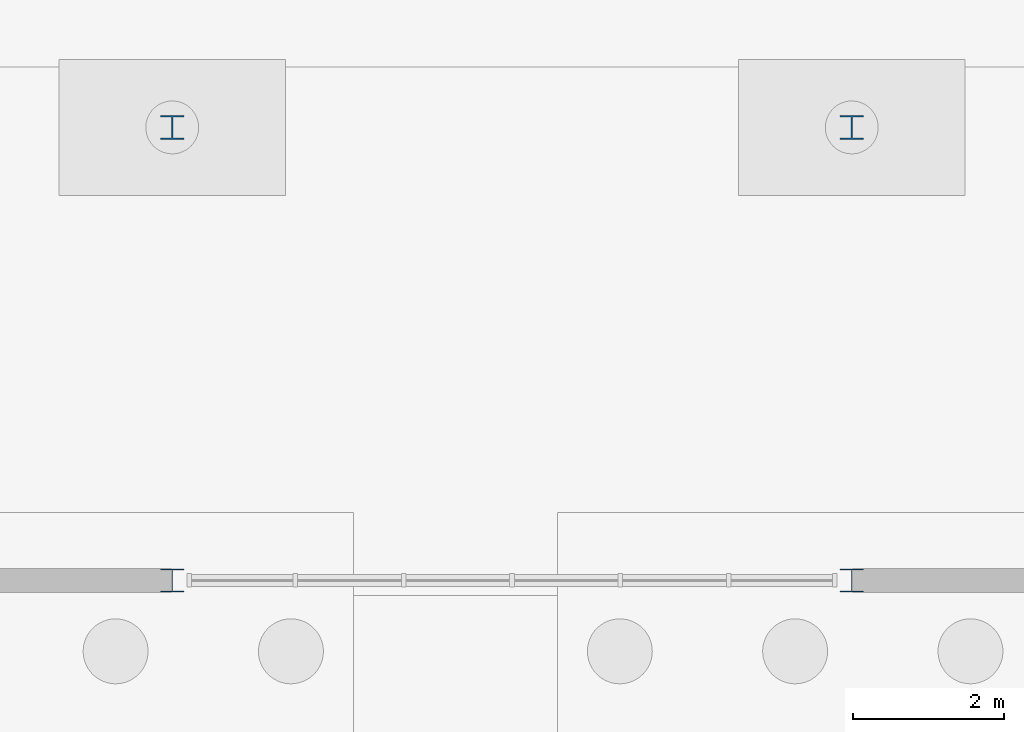
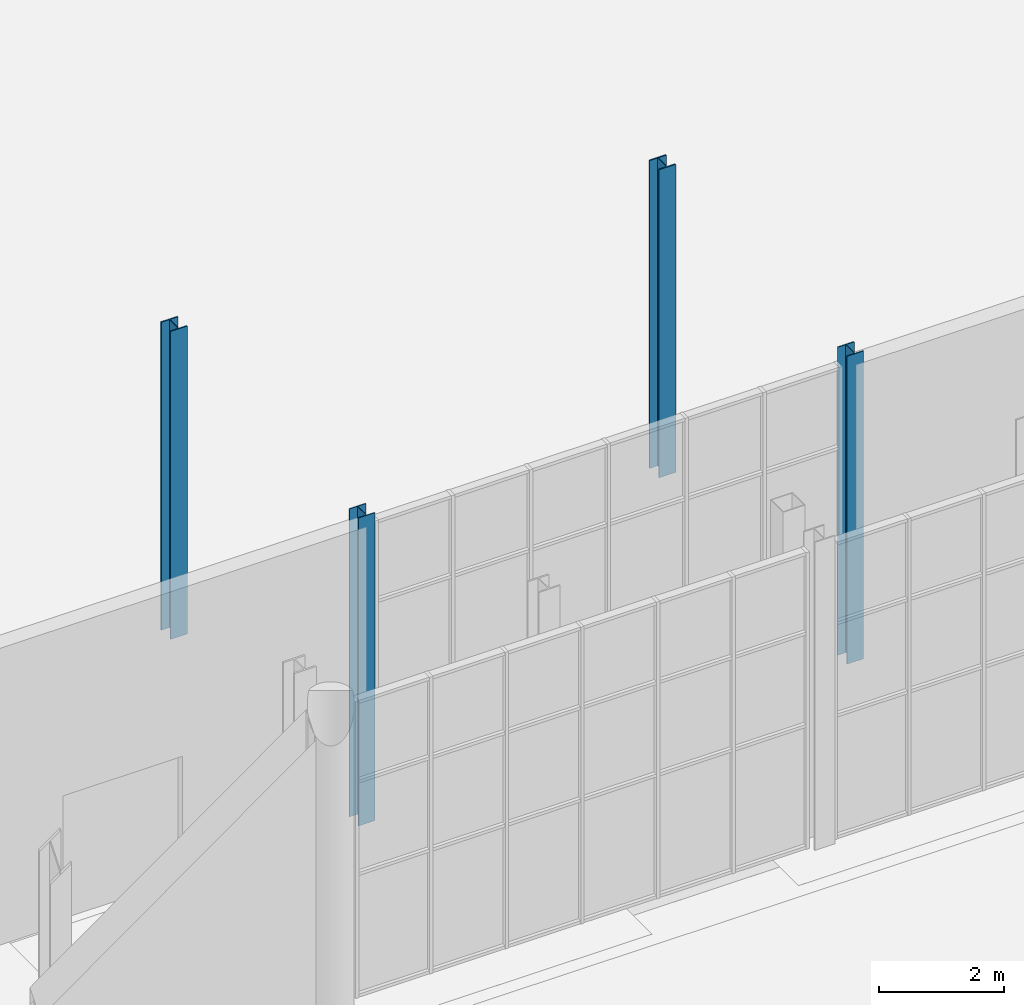
# One storey, part 22 of 131: 4 columns.
"""IFC4 building model written with IfcOpenShell, lengths in metres."""

from ifc_helpers import new_model, si_unit, direction, frame, origin, origin_2d, place, context, subcontext, project, spatial, i_section, extrude, material, material_profile, profile_set, type_object, element, save


model = new_model("IFC4")

# Units and contexts
model_context = context("Model", 3, precision=1e-05, world=origin(), true_north=direction((0.0, 1.0)))
body_context = subcontext(model_context, "Body", "Model", "MODEL_VIEW")
ifc_project = project(units=[si_unit("LENGTHUNIT", "METRE"), si_unit("AREAUNIT", "SQUARE_METRE"), si_unit("VOLUMEUNIT", "CUBIC_METRE"), si_unit("PLANEANGLEUNIT", "RADIAN"), si_unit("MASSUNIT", "GRAM", prefix="KILO")], contexts=[model_context])

# Site, building, storey
site_placement = place(None, origin())
site = spatial("IfcSite", under=ifc_project, at=site_placement, CompositionType="ELEMENT")
building_placement = place(site_placement, origin())
building = spatial("IfcBuilding", under=site, at=building_placement, Name="Cazmaro Siding Exhibition Halls", CompositionType="ELEMENT")
storey_placement = place(building_placement, origin())
storey = spatial("IfcBuildingStorey", under=building, at=storey_placement, Name="L00", CompositionType="ELEMENT", Elevation=0.0)

# Columns
ifc_material_1 = material(Name="Steel ASTM A992 Grade 50", Category="steel")
ifc_material_profile_1 = material_profile(ifc_material_1, i_section(OverallWidth=0.304931640625, OverallDepth=0.306884765625, WebThickness=0.010009765625, FlangeThickness=0.014892578125, at=origin_2d()), Name="W12X65")
ifc_profile_set_1 = profile_set([ifc_material_profile_1], Name="Steel ASTM A992 Grade 50")
column_type_1 = type_object("IfcColumnType", Name="C-06", PredefinedType="COLUMN", material=ifc_profile_set_1)
for number, where, z_axis, x_axis, name in (
    (1, (111.0, 67.199951171875, 0.0), (0.0, 0.0, 1.0), (1.0, 0.0, 0.0), "Column C-06 COL-0325"),
    (2, (120.0, 67.199951171875, 0.0), (0.0, 0.0, 1.0), (1.0, 0.0, 0.0), "Column C-06 COL-0335"),
):
    element("IfcColumn", number, at=place(storey_placement, frame(where, z_axis=z_axis, x_axis=x_axis)), inside=storey, type_object=column_type_1, Name=name, PredefinedType="COLUMN", context=body_context, shape_type="SweptSolid", body=[
        extrude(i_section(OverallWidth=0.304931640625, OverallDepth=0.306884765625, WebThickness=0.010009765625, FlangeThickness=0.014892578125, at=origin_2d()), origin(), (0.0, 0.0, 1.0), 6.0),
    ])
ifc_material_2 = material(Name="Steel ASTM A992 Grade 50", Category="steel")
ifc_material_profile_2 = material_profile(ifc_material_2, i_section(OverallWidth=0.30908203125, OverallDepth=0.320068359375, WebThickness=0.013916015625, FlangeThickness=0.02294921875, at=origin_2d()), Name="W12X96")
ifc_profile_set_2 = profile_set([ifc_material_profile_2], Name="Steel ASTM A992 Grade 50")
column_type_2 = type_object("IfcColumnType", Name="C-13", PredefinedType="COLUMN", material=ifc_profile_set_2)
for number, where, z_axis, x_axis, name in (
    (3, (111.0, 73.199951171875, 0.0), (0.0, 0.0, 1.0), (1.0, 0.0, 0.0), "Column C-13 COL-0328"),
    (4, (120.0, 73.199951171875, 0.0), (0.0, 0.0, 1.0), (1.0, 0.0, 0.0), "Column C-13 COL-0338"),
):
    element("IfcColumn", number, at=place(storey_placement, frame(where, z_axis=z_axis, x_axis=x_axis)), inside=storey, type_object=column_type_2, Name=name, PredefinedType="COLUMN", context=body_context, shape_type="SweptSolid", body=[
        extrude(i_section(OverallWidth=0.30908203125, OverallDepth=0.320068359375, WebThickness=0.013916015625, FlangeThickness=0.02294921875, at=origin_2d()), origin(), (0.0, 0.0, 1.0), 6.0),
    ])

save(model, "model.ifc")
